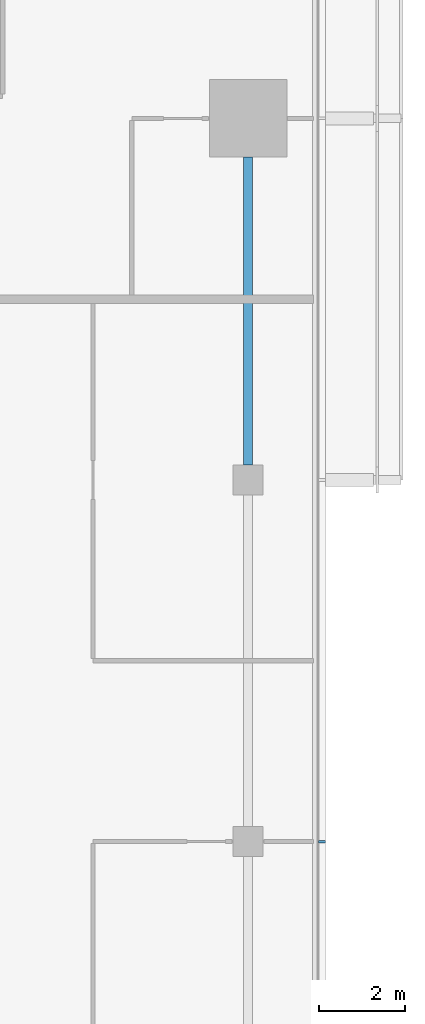
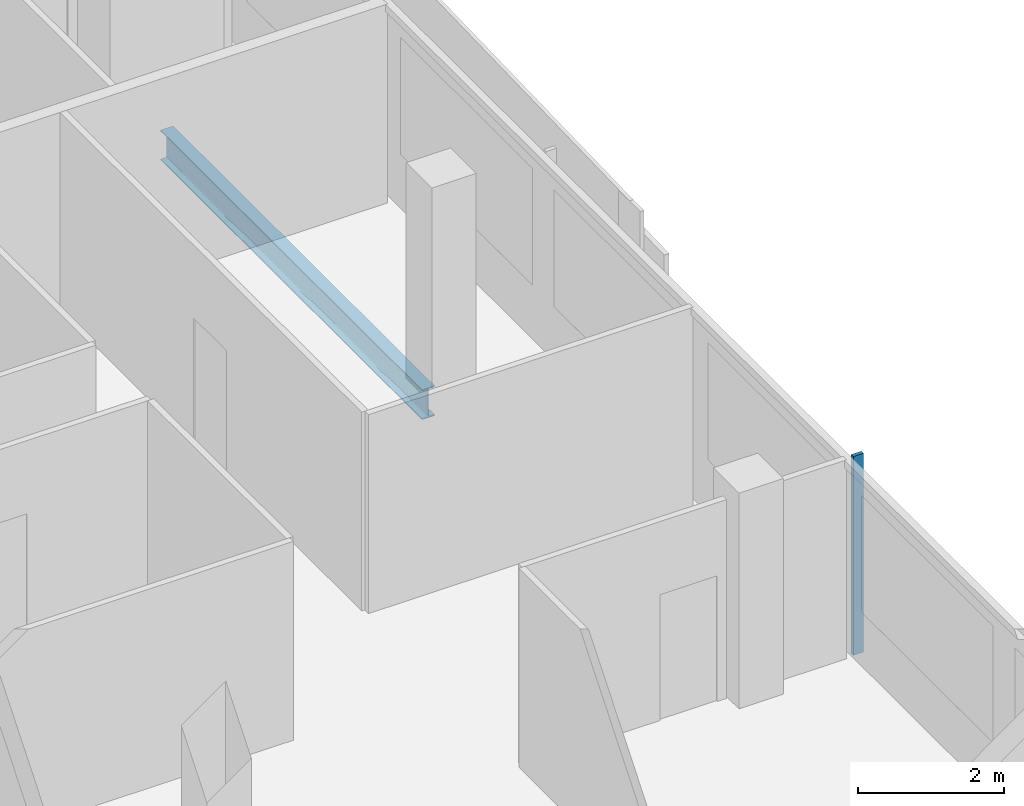
# One storey, part 12 of 30: 1 beam, 1 member, 1 element without a shape of its own.
"""IFC4 building model written with IfcOpenShell, lengths in metres."""

from ifc_helpers import new_model, si_unit, direction, frame, origin, origin_2d, place, context, subcontext, project, spatial, rectangle, i_section, extrude, material, material_profile, profile_set, type_object, element, aggregate, save


model = new_model("IFC4")

# Units and contexts
model_context = context("Model", 3, precision=1e-05, world=origin(), true_north=direction((0.0, 1.0)))
body_context = subcontext(model_context, "Body", "Model", "MODEL_VIEW")
ifc_project = project(units=[si_unit("LENGTHUNIT", "METRE"), si_unit("AREAUNIT", "SQUARE_METRE"), si_unit("VOLUMEUNIT", "CUBIC_METRE"), si_unit("PLANEANGLEUNIT", "RADIAN"), si_unit("MASSUNIT", "GRAM", prefix="KILO")], contexts=[model_context])

# Site, building, storey
site_placement = place(None, origin())
site = spatial("IfcSite", under=ifc_project, at=site_placement, CompositionType="ELEMENT")
building_placement = place(site_placement, origin())
building = spatial("IfcBuilding", under=site, at=building_placement, Name="Saffron Gate Tower", CompositionType="ELEMENT")
storey_placement = place(building_placement, frame((0.0, 0.0, 165.449951171875)))
storey = spatial("IfcBuildingStorey", under=building, at=storey_placement, Name="L40", CompositionType="ELEMENT", Elevation=165.449951171875)

# Beam
ifc_material_1 = material(Name="Structural steel S355", Category="steel")
ifc_material_profile_1 = material_profile(ifc_material_1, i_section(OverallWidth=0.199951171875, OverallDepth=0.5, WebThickness=0.01025390625, FlangeThickness=0.01611328125, FilletRadius=0.02099609375, at=origin_2d()))
ifc_profile_set_1 = profile_set([ifc_material_profile_1], Name="Structural steel S355")
beam_type = type_object("IfcBeamType", Name="B11 IPE 500", PredefinedType="SPANDREL", material=ifc_profile_set_1)
beam_placement = place(storey_placement, frame((125.39990234375, 57.35009765625, -0.530029296875), z_axis=(0.0, 1.0, 0.0), x_axis=(-1.0, 0.0, 0.0)))
element("IfcBeam", 1, at=beam_placement, inside=storey, type_object=beam_type, Name="B11 SPANDREL BEAM", PredefinedType="SPANDREL", context=body_context, shape_type="SweptSolid", body=[
    extrude(i_section(OverallWidth=0.199951171875, OverallDepth=0.5, WebThickness=0.01025390625, FlangeThickness=0.01611328125, FilletRadius=0.02099609375, at=origin_2d()), origin(), (0.0, 0.0, 1.0), 7.14990234375),
])

# Curtain wall, member
ifc_material_2 = material(Name="Aluminium, bronze anodised", Category="aluminium")
curtain_wall_type = type_object("IfcCurtainWallType", Name="CWS2 curtain wall side facades", PredefinedType="NOTDEFINED", material=ifc_material_2)
curtain_wall_placement = place(storey_placement, origin())
curtain_wall = element("IfcCurtainWall", 2, at=curtain_wall_placement, inside=storey, type_object=curtain_wall_type, Name="CWS2 run 4", PredefinedType="NOTDEFINED")
ifc_material_profile_2 = material_profile(ifc_material_2, rectangle(XDim=0.159912109375, YDim=0.06005859375, at=origin_2d()))
ifc_profile_set_2 = profile_set([ifc_material_profile_2], Name="Aluminium, bronze anodised")
member_type = type_object("IfcMemberType", Name="CWS2 mullion 60x160", PredefinedType="MULLION", material=ifc_profile_set_2)
member_placement = place(storey_placement, frame((127.1201171875, 48.60009765625, 0.0), z_axis=(0.0, 0.0, 1.0), x_axis=(-1.0, 0.0, 0.0)))
member = element("IfcMember", 3, at=member_placement, type_object=member_type, Name="CWS2 mullion 3", PredefinedType="MULLION", context=body_context, shape_type="SweptSolid", body=[
    extrude(rectangle(XDim=0.159912109375, YDim=0.06005859375, at=origin_2d()), origin(), (0.0, 0.0, 1.0), 3.320068359375),
])
aggregate(curtain_wall, [member])

save(model, "model.ifc")
